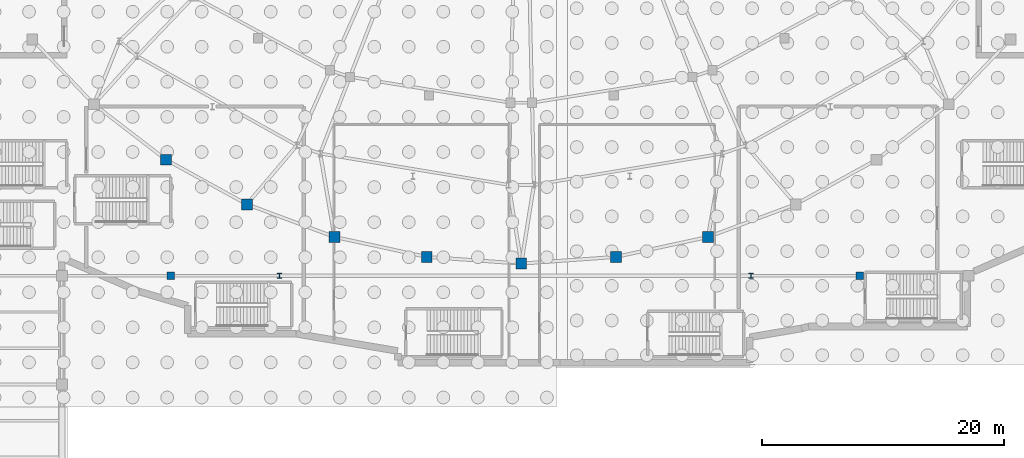
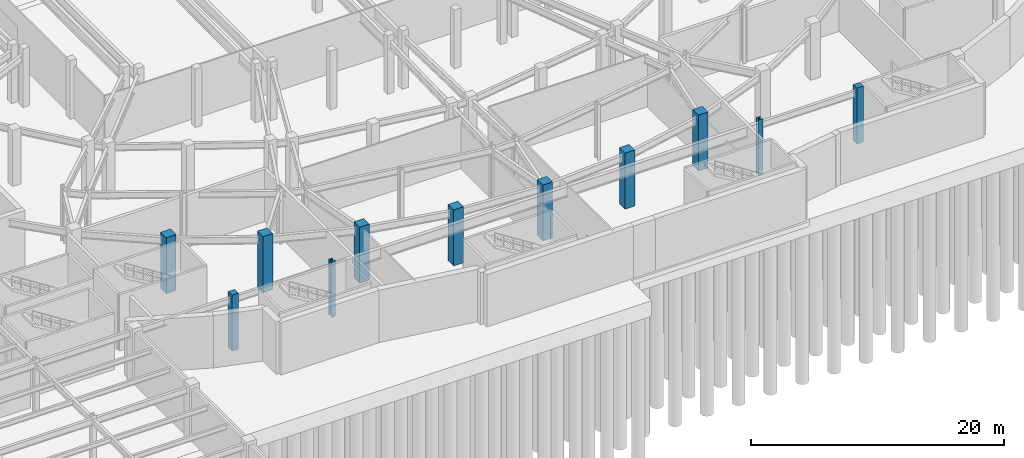
# One storey, part 14 of 56: 11 columns.
"""IFC4 building model written with IfcOpenShell, lengths in metres."""

from ifc_helpers import new_model, si_unit, direction, frame, origin, origin_2d, place, context, subcontext, project, spatial, rectangle, i_section, extrude, material, material_profile, profile_set, type_object, element, save


model = new_model("IFC4")

# Units and contexts
model_context = context("Model", 3, precision=1e-05, world=origin(), true_north=direction((0.0, 1.0)))
body_context = subcontext(model_context, "Body", "Model", "MODEL_VIEW")
ifc_project = project(units=[si_unit("LENGTHUNIT", "METRE"), si_unit("AREAUNIT", "SQUARE_METRE"), si_unit("VOLUMEUNIT", "CUBIC_METRE"), si_unit("PLANEANGLEUNIT", "RADIAN"), si_unit("MASSUNIT", "GRAM", prefix="KILO")], contexts=[model_context])

# Site, building, storey
site_placement = place(None, origin())
site = spatial("IfcSite", under=ifc_project, at=site_placement, CompositionType="ELEMENT")
building_placement = place(site_placement, origin())
building = spatial("IfcBuilding", under=site, at=building_placement, Name="Glasvene Arena", CompositionType="ELEMENT")
storey_placement = place(building_placement, frame((0.0, 0.0, -5.39990234375)))
storey = spatial("IfcBuildingStorey", under=building, at=storey_placement, Name="B1", CompositionType="ELEMENT", Elevation=-5.39990234375)

# Columns
ifc_material_1 = material(Name="Concrete C40/50", Category="concrete")
ifc_material_profile_1 = material_profile(ifc_material_1, rectangle(XDim=0.89990234375, YDim=0.89990234375, at=origin_2d()), Name="RC 900x900")
ifc_profile_set_1 = profile_set([ifc_material_profile_1], Name="Concrete C40/50")
column_type_1 = type_object("IfcColumnType", Name="COL-BOWL-RC900", PredefinedType="COLUMN", material=ifc_profile_set_1)
for number, where, z_axis, x_axis, name in (
    (1, (62.610595703125, 36.59423828125, 0.0), (0.0, 0.0, 1.0), (1.0, 0.0, 0.0), "Bowl ring column R27 B1"),
    (2, (69.300537109375, 32.90478515625, 0.0), (0.0, 0.0, 1.0), (1.0, 0.0, 0.0), "Bowl ring column R28 B1"),
    (3, (76.54931640625, 30.202392578125, 0.0), (0.0, 0.0, 1.0), (1.0, 0.0, 0.0), "Bowl ring column R29 B1"),
    (4, (84.17822265625, 28.553955078125, 0.0), (0.0, 0.0, 1.0), (1.0, 0.0, 0.0), "Bowl ring column R30 B1"),
    (5, (92.0, 28.0, 0.0), (0.0, 0.0, 1.0), (1.0, 0.0, 0.0), "Bowl ring column R31 B1"),
    (6, (99.82177734375, 28.553955078125, 0.0), (0.0, 0.0, 1.0), (1.0, 0.0, 0.0), "Bowl ring column R32 B1"),
    (7, (107.45068359375, 30.202392578125, 0.0), (0.0, 0.0, 1.0), (1.0, 0.0, 0.0), "Bowl ring column R33 B1"),
):
    element("IfcColumn", number, at=place(storey_placement, frame(where, z_axis=z_axis, x_axis=x_axis)), inside=storey, type_object=column_type_1, Name=name, PredefinedType="COLUMN", context=body_context, shape_type="SweptSolid", body=[
        extrude(rectangle(XDim=0.89990234375, YDim=0.89990234375, at=origin_2d()), origin(), (0.0, 0.0, 1.0), 5.39990234375),
    ])
ifc_material_profile_2 = material_profile(ifc_material_1, rectangle(XDim=0.60009765625, YDim=0.60009765625, at=origin_2d()), Name="RC 600x600")
ifc_profile_set_2 = profile_set([ifc_material_profile_2], Name="Concrete C40/50")
column_type_2 = type_object("IfcColumnType", Name="COL-IN-RC600", PredefinedType="COLUMN", material=ifc_profile_set_2)
for number, where, z_axis, x_axis, name in (
    (8, (63.0, 27.0, 0.0), (0.0, 0.0, 1.0), (1.0, 0.0, 0.0), "Grid column 8-4 B1"),
    (9, (120.0, 27.0, 0.0), (0.0, 0.0, 1.0), (1.0, 0.0, 0.0), "Grid column 14-4 B1"),
):
    element("IfcColumn", number, at=place(storey_placement, frame(where, z_axis=z_axis, x_axis=x_axis)), inside=storey, type_object=column_type_2, Name=name, PredefinedType="COLUMN", context=body_context, shape_type="SweptSolid", body=[
        extrude(rectangle(XDim=0.60009765625, YDim=0.60009765625, at=origin_2d()), origin(), (0.0, 0.0, 1.0), 5.39990234375),
    ])
ifc_material_2 = material(Name="Steel S355J2", Category="steel")
ifc_material_profile_3 = material_profile(ifc_material_2, i_section(OverallWidth=0.394775390625, OverallDepth=0.381103515625, WebThickness=0.018310546875, FlangeThickness=0.0302734375, FilletRadius=0.01513671875, at=origin_2d()), Name="UKC 356x406x235")
ifc_profile_set_3 = profile_set([ifc_material_profile_3], Name="Steel S355J2")
column_type_3 = type_object("IfcColumnType", Name="COL-W-UKC235", PredefinedType="COLUMN", material=ifc_profile_set_3)
for number, where, z_axis, x_axis, name in (
    (10, (72.0, 27.0, 0.0), (0.0, 0.0, 1.0), (1.0, 0.0, 0.0), "Grid column 9-4 B1"),
    (11, (111.0, 27.0, 0.0), (0.0, 0.0, 1.0), (1.0, 0.0, 0.0), "Grid column 13-4 B1"),
):
    element("IfcColumn", number, at=place(storey_placement, frame(where, z_axis=z_axis, x_axis=x_axis)), inside=storey, type_object=column_type_3, Name=name, PredefinedType="COLUMN", context=body_context, shape_type="SweptSolid", body=[
        extrude(i_section(OverallWidth=0.394775390625, OverallDepth=0.381103515625, WebThickness=0.018310546875, FlangeThickness=0.0302734375, FilletRadius=0.01513671875, at=origin_2d()), origin(), (0.0, 0.0, 1.0), 5.39990234375),
    ])

save(model, "model.ifc")
